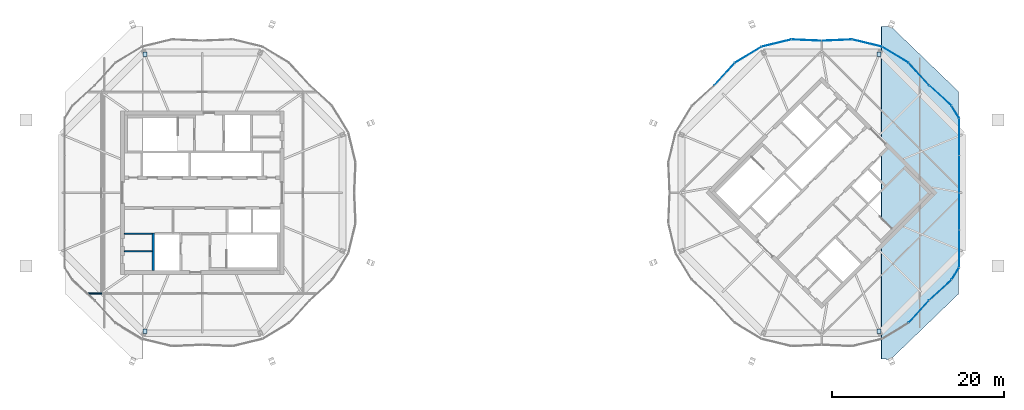
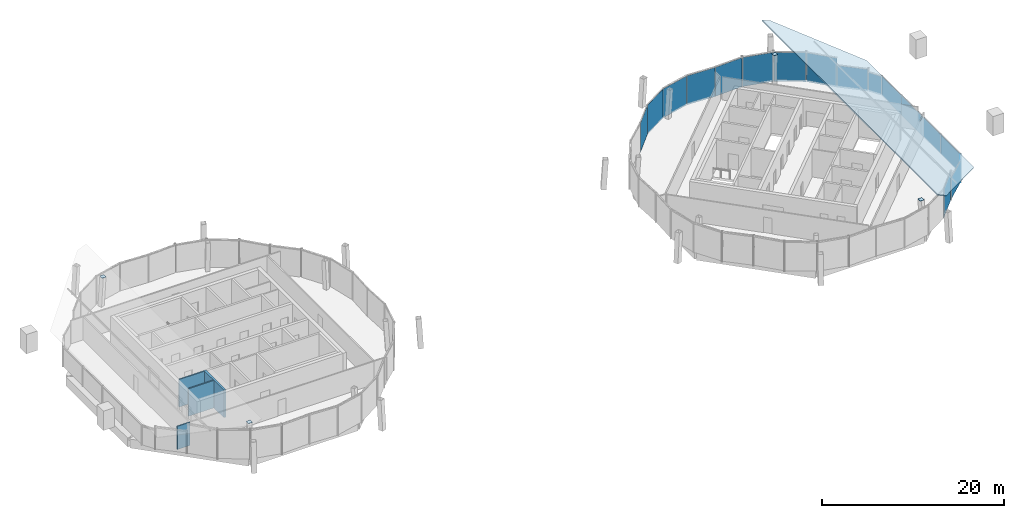
# One storey, part 18 of 23: 22 plates, 4 walls, 6 elements without a shape of their own.
"""IFC4 building model written with IfcOpenShell, lengths in metres."""

import ifcopenshell
import ifcopenshell.guid

model = None  # the IFC model being written
_history = None  # IfcOwnerHistory: only IFC2X3 demands one
_inside = {}  # id of a spatial element -> (the spatial element, [elements in it])
_under = {}  # id of a project, library or spatial element -> (it, [spatial elements below it])
_declared = {}  # id of a project -> (the project, [libraries it declares])
_typed = {}  # id of a type object -> (the type object, [elements of that type])
_made_of = {}  # id of a material, layer set ... -> (it, [elements and type objects made of it])


def new_model(schema):
    """Start an empty IFC model of exactly this schema.

    Asked for "IFC4X3", IfcOpenShell would pick the latest addendum, in which some entities
    have other attributes; the version numbers below select the first issue.
    IFC2X3 requires an IfcOwnerHistory on every rooted entity: one is made here for all.
    """
    global model, _history
    if schema == "IFC4X3":
        model = ifcopenshell.file(schema_version=(4, 3, 0, 0))
    else:
        model = ifcopenshell.file(schema=schema)
    _inside.clear()
    _under.clear()
    _declared.clear()
    _typed.clear()
    _made_of.clear()
    _history = None
    if model.schema == "IFC2X3":
        org = make("IfcOrganization", Name="unknown")
        user = make(
            "IfcPersonAndOrganization",
            ThePerson=make("IfcPerson", FamilyName="unknown"),
            TheOrganization=org,
        )
        app = make(
            "IfcApplication",
            ApplicationDeveloper=org,
            Version="unknown",
            ApplicationFullName="unknown",
            ApplicationIdentifier="unknown",
        )
        _history = make(
            "IfcOwnerHistory",
            OwningUser=user,
            OwningApplication=app,
            ChangeAction="ADDED",
            CreationDate=0,
        )
    return model


def make(cls, **values):
    """One entity of the class cls with the attributes given. An attribute that is None is left unset."""
    return model.create_entity(
        cls, **{name: value for name, value in values.items() if value is not None}
    )


def rooted(cls, **values):
    """An entity with a GlobalId (a new one), such as an element, a storey or a relation."""
    return make(cls, GlobalId=ifcopenshell.guid.new(), OwnerHistory=_history, **values)


def si_unit(unit_type, name, prefix=None):
    """IfcSIUnit, for example si_unit("LENGTHUNIT", "METRE", prefix="MILLI")."""
    return make("IfcSIUnit", UnitType=unit_type, Prefix=prefix, Name=name)


def assignment(units):
    """IfcUnitAssignment: the units of a project."""
    return None if units is None else make("IfcUnitAssignment", Units=units)


def point(xyz):
    """IfcCartesianPoint."""
    return None if xyz is None else make("IfcCartesianPoint", Coordinates=xyz)


def direction(xyz):
    """IfcDirection."""
    return None if xyz is None else make("IfcDirection", DirectionRatios=xyz)


def frame(location, z_axis=None, x_axis=None):
    """IfcAxis2Placement3D, a coordinate frame: its origin and axes. An axis left out is left unset."""
    return make(
        "IfcAxis2Placement3D",
        Location=point(location),
        Axis=direction(z_axis),
        RefDirection=direction(x_axis),
    )


def frame_2d(location, x_axis=None):
    """IfcAxis2Placement2D, a coordinate frame in the plane: its origin and x axis."""
    return make(
        "IfcAxis2Placement2D", Location=point(location), RefDirection=direction(x_axis)
    )


def origin():
    """The frame at (0, 0, 0) with its axes left unset."""
    return frame((0.0, 0.0, 0.0))


def origin_2d():
    """The frame at (0, 0) in the plane with its x axis left unset."""
    return frame_2d((0.0, 0.0))


def place(relative_to, where):
    """IfcLocalPlacement: puts the frame where relative to a parent placement (None: the world)."""
    return make(
        "IfcLocalPlacement", PlacementRelTo=relative_to, RelativePlacement=where
    )


def context(
    kind, dimensions, precision=None, world=None, true_north=None, identifier=None
):
    """IfcGeometricRepresentationContext, for example the 3D "Model" context."""
    return make(
        "IfcGeometricRepresentationContext",
        ContextIdentifier=identifier,
        ContextType=kind,
        CoordinateSpaceDimension=dimensions,
        Precision=precision,
        WorldCoordinateSystem=world,
        TrueNorth=true_north,
    )


def subcontext(parent, identifier, kind, view, scale=None):
    """IfcGeometricRepresentationSubContext, for example "Body" below "Model"."""
    return make(
        "IfcGeometricRepresentationSubContext",
        ContextIdentifier=identifier,
        ContextType=kind,
        ParentContext=parent,
        TargetScale=scale,
        TargetView=view,
    )


def project(units=None, contexts=None):
    """IfcProject with its units and contexts."""
    return rooted(
        "IfcProject",
        Name="project",
        RepresentationContexts=contexts,
        UnitsInContext=assignment(units),
    )


def spatial(cls, under=None, at=None, **own):
    """A site, building, storey or space (cls), placed at a placement, below another one or the project."""
    s = rooted(cls, ObjectPlacement=at, **own)
    if under is not None:
        _under.setdefault(under.id(), (under, []))[1].append(s)
    return s


def polyline(points):
    """IfcPolyline through the points."""
    return make("IfcPolyline", Points=[point(p) for p in points])


def profile(cls, at=None, kind="AREA", **sizes):
    """A parametric profile (cls). Its sizes go by their IFC names, for example OverallWidth=200.0."""
    return make(cls, ProfileType=kind, Position=at, **sizes)


def rectangle(**sizes):
    """IfcRectangleProfileDef."""
    return profile("IfcRectangleProfileDef", **sizes)


def outline(outer, holes=None, kind="AREA"):
    """IfcArbitraryClosedProfileDef: a profile drawn as a closed curve; with holes, ...WithVoids."""
    if holes is None:
        return make("IfcArbitraryClosedProfileDef", ProfileType=kind, OuterCurve=outer)
    return make(
        "IfcArbitraryProfileDefWithVoids",
        ProfileType=kind,
        OuterCurve=outer,
        InnerCurves=holes,
    )


def extrude(swept, where, along, depth):
    """IfcExtrudedAreaSolid: the profile swept, set in the frame where, extruded along a direction by depth."""
    return make(
        "IfcExtrudedAreaSolid",
        SweptArea=swept,
        Position=where,
        ExtrudedDirection=direction(along),
        Depth=depth,
    )


def shape(context_of_items, identifier, shape_type, items):
    """IfcShapeRepresentation: the items that make up one representation, for example the "Body"."""
    return make(
        "IfcShapeRepresentation",
        ContextOfItems=context_of_items,
        RepresentationIdentifier=identifier,
        RepresentationType=shape_type,
        Items=items,
    )


def material(Name=None, Category=None):
    """IfcMaterial."""
    return make("IfcMaterial", Name=Name, Category=Category)


def layer(
    of_material, thickness, ventilated=None, Name=None, Category=None, Priority=None
):
    """IfcMaterialLayer: one layer of a wall or slab, of a material (None: an air gap)."""
    return make(
        "IfcMaterialLayer",
        Material=of_material,
        LayerThickness=thickness,
        IsVentilated=ventilated,
        Name=Name,
        Category=Category,
        Priority=Priority,
    )


def layer_set(layers, Name=None):
    """IfcMaterialLayerSet."""
    return make("IfcMaterialLayerSet", MaterialLayers=layers, LayerSetName=Name)


def made_of(thing, what):
    """Note that an element or type object is made of a material, layer set ...; save() writes the relation."""
    if what is not None:
        _made_of.setdefault(what.id(), (what, []))[1].append(thing)
    return thing


def type_object(cls, material=None, **own):
    """A type object (cls), such as IfcWallType, which elements share."""
    return made_of(rooted(cls, **own), material)


def element(
    cls,
    number,
    at=None,
    inside=None,
    cuts=None,
    type_object=None,
    material=None,
    context=None,
    identifier="Body",
    shape_type=None,
    held_by="IfcProductDefinitionShape",
    body=None,
    shapes=None,
    **own,
):
    """One element of the class cls, such as IfcWall. Its Tag is "e" and its number.

    at: its placement. inside: the storey or other place that contains it. cuts: it is an
    opening in that element (IfcRelVoidsElement). A single representation is given by context,
    identifier, shape_type and body (its items); several are given by shapes. held_by: the class
    of the entity that holds the representations. save() writes the other relations.
    """
    e = rooted(cls, Tag="e%d" % number, ObjectPlacement=at, **own)
    if body is not None:
        shapes = [shape(context, identifier, shape_type, body)]
    if shapes is not None:
        e.Representation = make(held_by, Representations=shapes)
    if inside is not None:
        _inside.setdefault(inside.id(), (inside, []))[1].append(e)
    if cuts is not None:
        rooted(
            "IfcRelVoidsElement", RelatingBuildingElement=cuts, RelatedOpeningElement=e
        )
    if type_object is not None:
        _typed.setdefault(type_object.id(), (type_object, []))[1].append(e)
    return made_of(e, material)


def aggregate(whole, parts):
    """IfcRelAggregates: a whole, such as a stair, and the parts it consists of."""
    return rooted("IfcRelAggregates", RelatingObject=whole, RelatedObjects=parts)


def save(model, path):
    """Write the relations noted so far, then the file.

    IfcRelAggregates (storeys below a building ...), IfcRelContainedInSpatialStructure (elements
    in a storey), IfcRelDefinesByType, IfcRelAssociatesMaterial and IfcRelDeclares: one each for
    every whole, place, type object, material and project.
    """
    for whole, parts in _under.values():
        aggregate(whole, parts)
    for where, things in _inside.values():
        rooted(
            "IfcRelContainedInSpatialStructure",
            RelatedElements=things,
            RelatingStructure=where,
        )
    for kind, things in _typed.values():
        rooted("IfcRelDefinesByType", RelatedObjects=things, RelatingType=kind)
    for what, things in _made_of.values():
        rooted("IfcRelAssociatesMaterial", RelatedObjects=things, RelatingMaterial=what)
    for by, libraries in _declared.values():
        rooted("IfcRelDeclares", RelatingContext=by, RelatedDefinitions=libraries)
    model.write(path)


model = new_model("IFC4")

# Units and contexts
model_context = context("Model", 3, precision=1e-05, world=origin(), true_north=direction((0.0, 1.0)))
body_context = subcontext(model_context, "Body", "Model", "MODEL_VIEW")
ifc_project = project(units=[si_unit("LENGTHUNIT", "METRE"), si_unit("AREAUNIT", "SQUARE_METRE"), si_unit("VOLUMEUNIT", "CUBIC_METRE"), si_unit("PLANEANGLEUNIT", "RADIAN"), si_unit("MASSUNIT", "GRAM", prefix="KILO")], contexts=[model_context])

# Site, building, storey
site_placement = place(None, origin())
site = spatial("IfcSite", under=ifc_project, at=site_placement, CompositionType="ELEMENT")
building_placement = place(site_placement, origin())
building = spatial("IfcBuilding", under=site, at=building_placement, Name="Ogive Gate Towers", CompositionType="ELEMENT")
storey_placement = place(building_placement, frame((0.0, 0.0, 302.0)))
storey = spatial("IfcBuildingStorey", under=building, at=storey_placement, Name="L71", CompositionType="ELEMENT", Elevation=302.0)

# Curtain wall, plates
ifc_material_1 = material(Name="Pale metal aluminium", Category="aluminium")
curtain_wall_type = type_object("IfcCurtainWallType", Name="Crown lean wall", PredefinedType="NOTDEFINED", material=ifc_material_1)
curtain_wall_1_placement = place(storey_placement, origin())
curtain_wall_1 = element("IfcCurtainWall", 1, at=curtain_wall_1_placement, inside=storey, type_object=curtain_wall_type, Name="CW5 T2 ECW01", PredefinedType="NOTDEFINED")
ifc_material_2 = material(Name="Clear glass", Category="glass")
ifc_layer_1 = layer(ifc_material_2, 0.028076171875)
ifc_layer_set_1 = layer_set([ifc_layer_1], Name="Crown lean wall glass panel")
plate_type_1 = type_object("IfcPlateType", Name="Crown lean wall glass panel", PredefinedType="CURTAIN_PANEL", material=ifc_layer_set_1)
plate_1_placement = place(storey_placement, frame((49.793212890625, 11.297119140625, -0.2998046875), z_axis=(0.0, 0.0, 1.0), x_axis=(0.737088647689, -0.675796067943, 0.0)))
plate_1 = element("IfcPlate", 2, at=plate_1_placement, type_object=plate_type_1, Name="CW5 glass panel", PredefinedType="CURTAIN_PANEL", context=body_context, shape_type="SweptSolid", body=[
    extrude(rectangle(XDim=3.489501953125, YDim=0.028076171875, at=origin_2d()), origin(), (0.0, 0.0, 1.0), 2.929443359375),
])
plate_2_placement = place(storey_placement, frame((51.533935546875, 9.385009765625, -0.2998046875), z_axis=(0.0, 0.0, 1.0), x_axis=(0.519906799494, -0.85422299187, 0.0)))
plate_2 = element("IfcPlate", 3, at=plate_2_placement, type_object=plate_type_1, Name="CW5 glass panel", PredefinedType="CURTAIN_PANEL", context=body_context, shape_type="SweptSolid", body=[
    extrude(rectangle(XDim=1.62353515625, YDim=0.028076171875, at=origin_2d()), origin(), (0.0, 0.0, 1.0), 2.539306640625),
])
plate_3_placement = place(storey_placement, frame((51.970703125, 6.497802734375, -0.300048828125), z_axis=(0.0, 0.0, 1.0), x_axis=(0.0, -1.0, 0.0)))
plate_3 = element("IfcPlate", 4, at=plate_3_placement, type_object=plate_type_1, Name="CW5 glass panel", PredefinedType="CURTAIN_PANEL", context=body_context, shape_type="SweptSolid", body=[
    extrude(rectangle(XDim=4.283935546875, YDim=0.028076171875, at=origin_2d()), origin(), (0.0, 0.0, 1.0), 2.583984375),
])
plate_4_placement = place(storey_placement, frame((51.970703125, 2.1669921875, -0.300048828125), z_axis=(0.0, 0.0, 1.0), x_axis=(0.0, -1.0, 0.0)))
plate_4 = element("IfcPlate", 5, at=plate_4_placement, type_object=plate_type_1, Name="CW5 glass panel", PredefinedType="CURTAIN_PANEL", context=body_context, shape_type="SweptSolid", body=[
    extrude(rectangle(XDim=4.289794921875, YDim=0.028076171875, at=origin_2d()), origin(), (0.0, 0.0, 1.0), 2.583984375),
])
aggregate(curtain_wall_1, [plate_1, plate_2, plate_3, plate_4])

curtain_wall_2_placement = place(storey_placement, origin())
curtain_wall_2 = element("IfcCurtainWall", 6, at=curtain_wall_2_placement, inside=storey, type_object=curtain_wall_type, Name="CW5 T2 ECW02", PredefinedType="NOTDEFINED")
plate_5_placement = place(storey_placement, frame((37.76513671875, 17.74169921875, -0.2998046875), z_axis=(0.0, 0.0, 1.0), x_axis=(0.999060363459, 0.043340398775, 0.0)))
plate_5 = element("IfcPlate", 7, at=plate_5_placement, type_object=plate_type_1, Name="CW5 glass panel", PredefinedType="CURTAIN_PANEL", context=body_context, shape_type="SweptSolid", body=[
    extrude(rectangle(XDim=3.489501953125, YDim=0.028076171875, at=origin_2d()), origin(), (0.0, 0.0, 1.0), 3.904052734375),
])
plate_6_placement = place(storey_placement, frame((41.28125, 17.393310546875, -0.2998046875), z_axis=(0.0, 0.0, 1.0), x_axis=(0.971652367646, -0.236414205259, 0.0)))
plate_6 = element("IfcPlate", 8, at=plate_6_placement, type_object=plate_type_1, Name="CW5 glass panel", PredefinedType="CURTAIN_PANEL", context=body_context, shape_type="SweptSolid", body=[
    extrude(rectangle(XDim=3.5439453125, YDim=0.028076171875, at=origin_2d()), origin(), (0.0, 0.0, 1.0), 3.904052734375),
])
plate_7_placement = place(storey_placement, frame((44.564453125, 16.033203125, -0.2998046875), z_axis=(0.0, 0.0, 1.0), x_axis=(0.854232065826, -0.519891890411, 0.0)))
plate_7 = element("IfcPlate", 9, at=plate_7_placement, type_object=plate_type_1, Name="CW5 glass panel", PredefinedType="CURTAIN_PANEL", context=body_context, shape_type="SweptSolid", body=[
    extrude(rectangle(XDim=3.544189453125, YDim=0.028076171875, at=origin_2d()), origin(), (0.0, 0.0, 1.0), 3.904052734375),
])
plate_8_placement = place(storey_placement, frame((47.297119140625, 13.793212890625, -0.2998046875), z_axis=(0.0, 0.0, 1.0), x_axis=(0.675796067943, -0.737088647689, 0.0)))
plate_8 = element("IfcPlate", 10, at=plate_8_placement, type_object=plate_type_1, Name="CW5 glass panel", PredefinedType="CURTAIN_PANEL", context=body_context, shape_type="SweptSolid", body=[
    extrude(rectangle(XDim=3.489501953125, YDim=0.028076171875, at=origin_2d()), origin(), (0.0, 0.0, 1.0), 3.904052734375),
])
aggregate(curtain_wall_2, [plate_5, plate_6, plate_7, plate_8])

curtain_wall_3_placement = place(storey_placement, origin())
curtain_wall_3 = element("IfcCurtainWall", 11, at=curtain_wall_3_placement, inside=storey, type_object=curtain_wall_type, Name="CW5 T2 ECW03", PredefinedType="NOTDEFINED")
plate_9_placement = place(storey_placement, frame((24.702880859375, 13.793212890625, -0.2998046875), z_axis=(0.0, 0.0, 1.0), x_axis=(0.675796067943, 0.737088647689, 0.0)))
plate_9 = element("IfcPlate", 12, at=plate_9_placement, type_object=plate_type_1, Name="CW5 glass panel", PredefinedType="CURTAIN_PANEL", context=body_context, shape_type="SweptSolid", body=[
    extrude(rectangle(XDim=3.489501953125, YDim=0.028076171875, at=origin_2d()), origin(), (0.0, 0.0, 1.0), 3.904052734375),
])
plate_10_placement = place(storey_placement, frame((27.435546875, 16.033203125, -0.2998046875), z_axis=(0.0, 0.0, 1.0), x_axis=(0.854232065826, 0.519891890411, 0.0)))
plate_10 = element("IfcPlate", 13, at=plate_10_placement, type_object=plate_type_1, Name="CW5 glass panel", PredefinedType="CURTAIN_PANEL", context=body_context, shape_type="SweptSolid", body=[
    extrude(rectangle(XDim=3.544189453125, YDim=0.028076171875, at=origin_2d()), origin(), (0.0, 0.0, 1.0), 3.904052734375),
])
plate_11_placement = place(storey_placement, frame((30.71875, 17.393310546875, -0.2998046875), z_axis=(0.0, 0.0, 1.0), x_axis=(0.971652367646, 0.236414205259, 0.0)))
plate_11 = element("IfcPlate", 14, at=plate_11_placement, type_object=plate_type_1, Name="CW5 glass panel", PredefinedType="CURTAIN_PANEL", context=body_context, shape_type="SweptSolid", body=[
    extrude(rectangle(XDim=3.5439453125, YDim=0.028076171875, at=origin_2d()), origin(), (0.0, 0.0, 1.0), 3.904052734375),
])
plate_12_placement = place(storey_placement, frame((34.23486328125, 17.74169921875, -0.2998046875), z_axis=(0.0, 0.0, 1.0), x_axis=(0.999060363459, -0.043340398775, 0.0)))
plate_12 = element("IfcPlate", 15, at=plate_12_placement, type_object=plate_type_1, Name="CW5 glass panel", PredefinedType="CURTAIN_PANEL", context=body_context, shape_type="SweptSolid", body=[
    extrude(rectangle(XDim=3.489501953125, YDim=0.028076171875, at=origin_2d()), origin(), (0.0, 0.0, 1.0), 3.904052734375),
])
aggregate(curtain_wall_3, [plate_9, plate_10, plate_11, plate_12])

# Curtain wall, plate
curtain_wall_4_placement = place(storey_placement, origin())
curtain_wall_4 = element("IfcCurtainWall", 16, at=curtain_wall_4_placement, inside=storey, type_object=curtain_wall_type, Name="CW5 T2 ECW07", PredefinedType="NOTDEFINED")
plate_13_placement = place(storey_placement, frame((47.297119140625, -13.793212890625, -0.2998046875), z_axis=(0.0, 0.0, 1.0), x_axis=(-0.675796067943, -0.737088647689, 0.0)))
plate_13 = element("IfcPlate", 17, at=plate_13_placement, type_object=plate_type_1, Name="CW5 glass panel", PredefinedType="CURTAIN_PANEL", context=body_context, shape_type="SweptSolid", body=[
    extrude(rectangle(XDim=3.489501953125, YDim=0.028076171875, at=origin_2d()), origin(), (0.0, 0.0, 1.0), 3.904052734375),
])
aggregate(curtain_wall_4, [plate_13])

curtain_wall_5_placement = place(storey_placement, origin())
curtain_wall_5 = element("IfcCurtainWall", 18, at=curtain_wall_5_placement, inside=storey, type_object=curtain_wall_type, Name="CW5 T2 ECW08", PredefinedType="NOTDEFINED")
plate_14_placement = place(storey_placement, frame((49.794921875, -11.2958984375, -0.2998046875), z_axis=(0.0, 0.0, 1.0), x_axis=(-0.737088647689, -0.675796067943, 0.0)))
plate_14 = element("IfcPlate", 19, at=plate_14_placement, type_object=plate_type_1, Name="CW5 glass panel", PredefinedType="CURTAIN_PANEL", context=body_context, shape_type="SweptSolid", body=[
    extrude(rectangle(XDim=3.493408203125, YDim=0.028076171875, at=origin_2d()), origin(), (0.0, 0.0, 1.0), 2.929443359375),
])
aggregate(curtain_wall_5, [plate_14])

# Curtain wall, plates
curtain_wall_6_placement = place(storey_placement, origin())
curtain_wall_6 = element("IfcCurtainWall", 20, at=curtain_wall_6_placement, inside=storey, type_object=curtain_wall_type, Name="CW5 T2 ECW08b", PredefinedType="NOTDEFINED")
plate_15_placement = place(storey_placement, frame((51.970703125, -2.1669921875, -0.300048828125), z_axis=(0.0, 0.0, 1.0), x_axis=(0.0, -1.0, 0.0)))
plate_15 = element("IfcPlate", 21, at=plate_15_placement, type_object=plate_type_1, Name="CW5 glass panel", PredefinedType="CURTAIN_PANEL", context=body_context, shape_type="SweptSolid", body=[
    extrude(rectangle(XDim=4.289794921875, YDim=0.028076171875, at=origin_2d()), origin(), (0.0, 0.0, 1.0), 2.583984375),
])
plate_16_placement = place(storey_placement, frame((51.970703125, -6.497802734375, -0.300048828125), z_axis=(0.0, 0.0, 1.0), x_axis=(0.0, -1.0, 0.0)))
plate_16 = element("IfcPlate", 22, at=plate_16_placement, type_object=plate_type_1, Name="CW5 glass panel", PredefinedType="CURTAIN_PANEL", context=body_context, shape_type="SweptSolid", body=[
    extrude(rectangle(XDim=4.283935546875, YDim=0.028076171875, at=origin_2d()), origin(), (0.0, 0.0, 1.0), 2.583984375),
])
plate_17_placement = place(storey_placement, frame((51.532958984375, -9.38671875, -0.2998046875), z_axis=(0.0, 0.0, 1.0), x_axis=(-0.519906799494, -0.85422299187, 0.0)))
plate_17 = element("IfcPlate", 23, at=plate_17_placement, type_object=plate_type_1, Name="CW5 glass panel", PredefinedType="CURTAIN_PANEL", context=body_context, shape_type="SweptSolid", body=[
    extrude(rectangle(XDim=1.62744140625, YDim=0.028076171875, at=origin_2d()), origin(), (0.0, 0.0, 1.0), 2.539306640625),
])
aggregate(curtain_wall_6, [plate_15, plate_16, plate_17])

# Plates
ifc_layer_2 = layer(ifc_material_2, 0.1201171875)
ifc_layer_set_2 = layer_set([ifc_layer_2], Name="Glazed crown roof")
plate_type_2 = type_object("IfcPlateType", Name="Glazed crown roof", PredefinedType="SHEET", material=ifc_layer_set_2)
plate_18_placement = place(storey_placement, frame((42.929443359375, 19.33154296875, 6.531005859375), z_axis=(0.408365819473, 0.0, 0.912818359525), x_axis=(0.912578840282, 0.022906805535, -0.408258666203)))
element("IfcPlate", 24, at=plate_18_placement, inside=storey, type_object=plate_type_2, Name="Glazed crown roof", PredefinedType="SHEET", context=body_context, shape_type="SweptSolid", body=[
    extrude(outline(polyline([(0.0, 0.0), (1.1936954700437308, 8.673617379884035e-19), (9.619747917601929, -7.766096653943566), (9.079704318171176, -31.335594099229215), (0.3067949631725302, -38.70761407589587), (-0.8856477909435191, -38.652940925638596), (0.0, 0.0)])), origin(), (0.0, 0.0, -1.0), 0.1201171875),
])
ifc_material_3 = material(Name="Steel SM460", Category="steel")
ifc_layer_3 = layer(ifc_material_3, 0.030029296875)
ifc_layer_set_3 = layer_set([ifc_layer_3], Name="Hollow section end plate 30")
plate_type_3 = type_object("IfcPlateType", Name="Hollow section end plate 30", PredefinedType="SHEET", material=ifc_layer_set_3)
for number, where, z_axis, x_axis, name in (
    (25, (-42.916259765625, 15.843994140625, 4.030029296875), (0.0, 0.0, 1.0), (1.0, 0.0, 0.0), "End plate"),
    (26, (-42.916259765625, -16.343994140625, 4.030029296875), (0.0, 0.0, 1.0), (1.0, 0.0, 0.0), "End plate"),
    (27, (42.416259765625, 15.843994140625, 4.030029296875), (0.0, 0.0, 1.0), (1.0, 0.0, 0.0), "End plate"),
    (28, (42.416259765625, -16.343994140625, 4.030029296875), (0.0, 0.0, 1.0), (1.0, 0.0, 0.0), "End plate"),
):
    element("IfcPlate", number, at=place(storey_placement, frame(where, z_axis=z_axis, x_axis=x_axis)), inside=storey, type_object=plate_type_3, Name=name, PredefinedType="SHEET", context=body_context, shape_type="SweptSolid", body=[
        extrude(outline(polyline([(0.0, 0.0), (0.5, 0.0), (0.5, 0.5), (0.0, 0.5), (0.0, 0.0)])), origin(), (0.0, 0.0, -1.0), 0.030029296875),
    ])

# Walls
ifc_material_4 = material(Name="Fire-rated gypsum board partition")
ifc_layer_4 = layer(ifc_material_4, 0.14990234375)
ifc_layer_set_4 = layer_set([ifc_layer_4], Name="Partition wall 150")
wall_type_1 = type_object("IfcWallType", Name="Partition wall 150", PredefinedType="PARTITIONING", material=ifc_layer_set_4)
wall_1_placement = place(storey_placement, frame((-49.3095703125, -11.699951171875, 0.0), z_axis=(0.0, 0.0, 1.0), x_axis=(1.0, 0.0, 0.0)))
element("IfcWall", 29, at=wall_1_placement, inside=storey, type_object=wall_type_1, Name="L71 partition 004", PredefinedType="PARTITIONING", context=body_context, shape_type="SweptSolid", body=[
    extrude(rectangle(XDim=1.609619140625, YDim=0.14990234375, at=frame_2d((0.8046875, 0.0))), origin(), (0.0, 0.0, 1.0), 3.10009765625),
])
ifc_material_5 = material(Name="Gypsum board partition")
ifc_layer_5 = layer(ifc_material_5, 0.14990234375)
ifc_layer_set_5 = layer_set([ifc_layer_5], Name="Room partition 150 mm")
wall_type_2 = type_object("IfcWallType", Name="Room partition 150 mm", PredefinedType="PARTITIONING", material=ifc_layer_set_5)
for number, where, z_axis, x_axis, name in (
    (30, (-45.050048828125, -6.800048828125, 0.0), (0.0, 0.0, 1.0), (1.0, 0.0, 0.0), "T1 L71 Room partition 150 mm"),
    (31, (-45.050048828125, -4.75, 0.0), (0.0, 0.0, 1.0), (1.0, 0.0, 0.0), "T1 L71 Room partition 150 mm"),
):
    element("IfcWall", number, at=place(storey_placement, frame(where, z_axis=z_axis, x_axis=x_axis)), inside=storey, type_object=wall_type_2, Name=name, PredefinedType="PARTITIONING", context=body_context, shape_type="SweptSolid", body=[
        extrude(rectangle(XDim=3.22509765625, YDim=0.14990234375, at=frame_2d((1.612548828125, 0.0))), origin(), (0.0, 0.0, 1.0), 3.699951171875),
    ])
ifc_material_6 = material(Name="Concrete C60/75", Category="concrete")
ifc_layer_6 = layer(ifc_material_6, 0.25)
ifc_layer_set_6 = layer_set([ifc_layer_6], Name="Shaft wall 250 mm")
wall_type_3 = type_object("IfcWallType", Name="Shaft wall 250 mm", PredefinedType="SHEAR", material=ifc_layer_set_6)
wall_2_placement = place(storey_placement, frame((-41.699951171875, -9.050048828125, 0.0), z_axis=(0.0, 0.0, 1.0), x_axis=(0.0, 1.0, 0.0)))
element("IfcWall", 32, at=wall_2_placement, inside=storey, type_object=wall_type_3, Name="T1 L71 Shaft wall 250 mm", PredefinedType="SHEAR", context=body_context, shape_type="SweptSolid", body=[
    extrude(rectangle(XDim=4.375, YDim=0.25, at=frame_2d((2.1875, 0.0))), origin(), (0.0, 0.0, 1.0), 3.699951171875),
])

save(model, "model.ifc")
